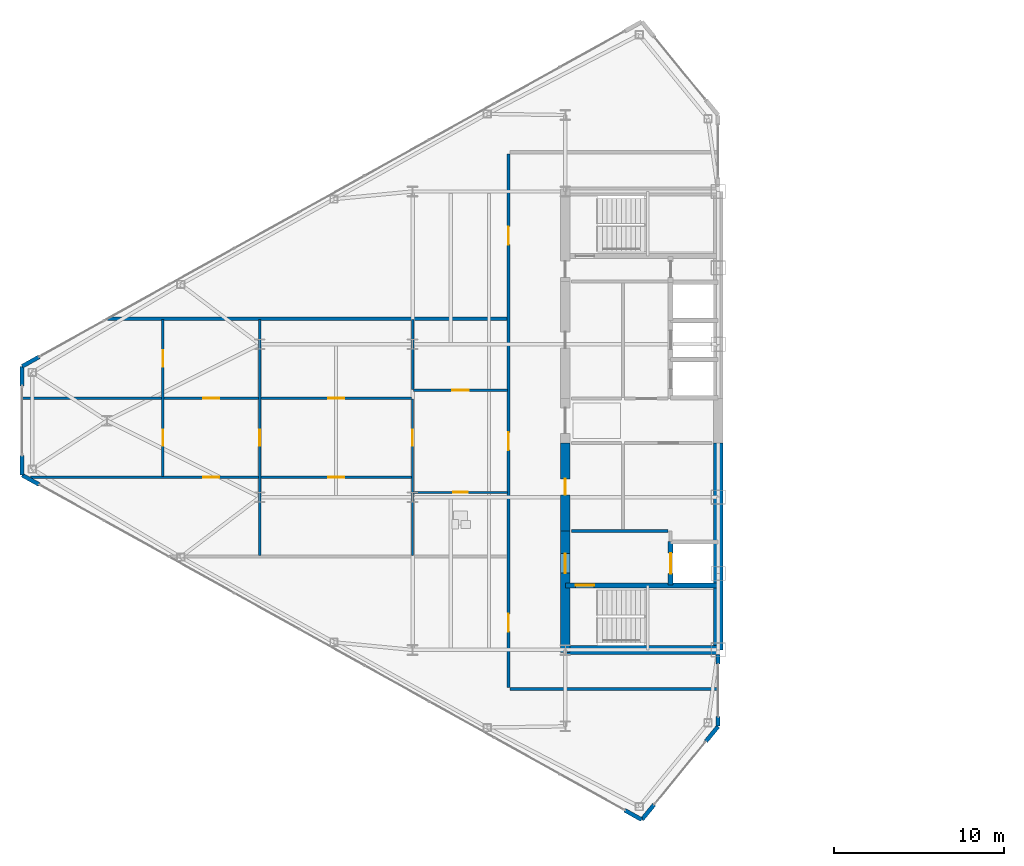
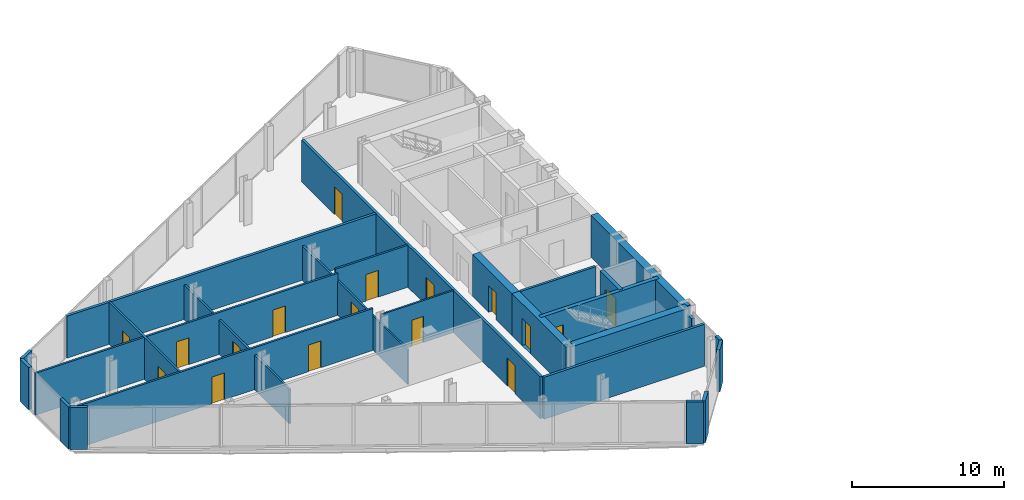
# One storey, part 19 of 26: 27 walls, 17 doors, 17 openings.
"""IFC4 building model written with IfcOpenShell, lengths in metres."""

import ifcopenshell
import ifcopenshell.guid

model = None  # the IFC model being written
_history = None  # IfcOwnerHistory: only IFC2X3 demands one
_inside = {}  # id of a spatial element -> (the spatial element, [elements in it])
_under = {}  # id of a project, library or spatial element -> (it, [spatial elements below it])
_declared = {}  # id of a project -> (the project, [libraries it declares])
_typed = {}  # id of a type object -> (the type object, [elements of that type])
_made_of = {}  # id of a material, layer set ... -> (it, [elements and type objects made of it])


def new_model(schema):
    """Start an empty IFC model of exactly this schema.

    Asked for "IFC4X3", IfcOpenShell would pick the latest addendum, in which some entities
    have other attributes; the version numbers below select the first issue.
    IFC2X3 requires an IfcOwnerHistory on every rooted entity: one is made here for all.
    """
    global model, _history
    if schema == "IFC4X3":
        model = ifcopenshell.file(schema_version=(4, 3, 0, 0))
    else:
        model = ifcopenshell.file(schema=schema)
    _inside.clear()
    _under.clear()
    _declared.clear()
    _typed.clear()
    _made_of.clear()
    _history = None
    if model.schema == "IFC2X3":
        org = make("IfcOrganization", Name="unknown")
        user = make(
            "IfcPersonAndOrganization",
            ThePerson=make("IfcPerson", FamilyName="unknown"),
            TheOrganization=org,
        )
        app = make(
            "IfcApplication",
            ApplicationDeveloper=org,
            Version="unknown",
            ApplicationFullName="unknown",
            ApplicationIdentifier="unknown",
        )
        _history = make(
            "IfcOwnerHistory",
            OwningUser=user,
            OwningApplication=app,
            ChangeAction="ADDED",
            CreationDate=0,
        )
    return model


def make(cls, **values):
    """One entity of the class cls with the attributes given. An attribute that is None is left unset."""
    return model.create_entity(
        cls, **{name: value for name, value in values.items() if value is not None}
    )


def rooted(cls, **values):
    """An entity with a GlobalId (a new one), such as an element, a storey or a relation."""
    return make(cls, GlobalId=ifcopenshell.guid.new(), OwnerHistory=_history, **values)


def si_unit(unit_type, name, prefix=None):
    """IfcSIUnit, for example si_unit("LENGTHUNIT", "METRE", prefix="MILLI")."""
    return make("IfcSIUnit", UnitType=unit_type, Prefix=prefix, Name=name)


def assignment(units):
    """IfcUnitAssignment: the units of a project."""
    return None if units is None else make("IfcUnitAssignment", Units=units)


def point(xyz):
    """IfcCartesianPoint."""
    return None if xyz is None else make("IfcCartesianPoint", Coordinates=xyz)


def direction(xyz):
    """IfcDirection."""
    return None if xyz is None else make("IfcDirection", DirectionRatios=xyz)


def frame(location, z_axis=None, x_axis=None):
    """IfcAxis2Placement3D, a coordinate frame: its origin and axes. An axis left out is left unset."""
    return make(
        "IfcAxis2Placement3D",
        Location=point(location),
        Axis=direction(z_axis),
        RefDirection=direction(x_axis),
    )


def frame_2d(location, x_axis=None):
    """IfcAxis2Placement2D, a coordinate frame in the plane: its origin and x axis."""
    return make(
        "IfcAxis2Placement2D", Location=point(location), RefDirection=direction(x_axis)
    )


def origin():
    """The frame at (0, 0, 0) with its axes left unset."""
    return frame((0.0, 0.0, 0.0))


def place(relative_to, where):
    """IfcLocalPlacement: puts the frame where relative to a parent placement (None: the world)."""
    return make(
        "IfcLocalPlacement", PlacementRelTo=relative_to, RelativePlacement=where
    )


def context(
    kind, dimensions, precision=None, world=None, true_north=None, identifier=None
):
    """IfcGeometricRepresentationContext, for example the 3D "Model" context."""
    return make(
        "IfcGeometricRepresentationContext",
        ContextIdentifier=identifier,
        ContextType=kind,
        CoordinateSpaceDimension=dimensions,
        Precision=precision,
        WorldCoordinateSystem=world,
        TrueNorth=true_north,
    )


def subcontext(parent, identifier, kind, view, scale=None):
    """IfcGeometricRepresentationSubContext, for example "Body" below "Model"."""
    return make(
        "IfcGeometricRepresentationSubContext",
        ContextIdentifier=identifier,
        ContextType=kind,
        ParentContext=parent,
        TargetScale=scale,
        TargetView=view,
    )


def project(units=None, contexts=None):
    """IfcProject with its units and contexts."""
    return rooted(
        "IfcProject",
        Name="project",
        RepresentationContexts=contexts,
        UnitsInContext=assignment(units),
    )


def spatial(cls, under=None, at=None, **own):
    """A site, building, storey or space (cls), placed at a placement, below another one or the project."""
    s = rooted(cls, ObjectPlacement=at, **own)
    if under is not None:
        _under.setdefault(under.id(), (under, []))[1].append(s)
    return s


def profile(cls, at=None, kind="AREA", **sizes):
    """A parametric profile (cls). Its sizes go by their IFC names, for example OverallWidth=200.0."""
    return make(cls, ProfileType=kind, Position=at, **sizes)


def rectangle(**sizes):
    """IfcRectangleProfileDef."""
    return profile("IfcRectangleProfileDef", **sizes)


def extrude(swept, where, along, depth):
    """IfcExtrudedAreaSolid: the profile swept, set in the frame where, extruded along a direction by depth."""
    return make(
        "IfcExtrudedAreaSolid",
        SweptArea=swept,
        Position=where,
        ExtrudedDirection=direction(along),
        Depth=depth,
    )


def shape(context_of_items, identifier, shape_type, items):
    """IfcShapeRepresentation: the items that make up one representation, for example the "Body"."""
    return make(
        "IfcShapeRepresentation",
        ContextOfItems=context_of_items,
        RepresentationIdentifier=identifier,
        RepresentationType=shape_type,
        Items=items,
    )


def source(mapping_origin, context_of_items, identifier, shape_type, items):
    """IfcRepresentationMap: a shape defined once, which mapped items show again and again."""
    return make(
        "IfcRepresentationMap",
        MappingOrigin=mapping_origin,
        MappedRepresentation=shape(context_of_items, identifier, shape_type, items),
    )


def transform(
    local_origin,
    x_axis=None,
    y_axis=None,
    z_axis=None,
    scale=None,
    scale2=None,
    scale3=None,
    uniform=True,
):
    """IfcCartesianTransformationOperator3D, or its non-uniform kind. x_axis, y_axis, z_axis: its Axis1, 2, 3."""
    if uniform:
        return make(
            "IfcCartesianTransformationOperator3D",
            Axis1=direction(x_axis),
            Axis2=direction(y_axis),
            LocalOrigin=point(local_origin),
            Scale=scale,
            Axis3=direction(z_axis),
        )
    return make(
        "IfcCartesianTransformationOperator3DnonUniform",
        Axis1=direction(x_axis),
        Axis2=direction(y_axis),
        LocalOrigin=point(local_origin),
        Scale=scale,
        Axis3=direction(z_axis),
        Scale2=scale2,
        Scale3=scale3,
    )


def mapped(mapping_source, mapping_target):
    """IfcMappedItem: shows the shape of a source again, moved by a transform."""
    return make(
        "IfcMappedItem", MappingSource=mapping_source, MappingTarget=mapping_target
    )


def material(Name=None, Category=None):
    """IfcMaterial."""
    return make("IfcMaterial", Name=Name, Category=Category)


def layer(
    of_material, thickness, ventilated=None, Name=None, Category=None, Priority=None
):
    """IfcMaterialLayer: one layer of a wall or slab, of a material (None: an air gap)."""
    return make(
        "IfcMaterialLayer",
        Material=of_material,
        LayerThickness=thickness,
        IsVentilated=ventilated,
        Name=Name,
        Category=Category,
        Priority=Priority,
    )


def layer_set(layers, Name=None):
    """IfcMaterialLayerSet."""
    return make("IfcMaterialLayerSet", MaterialLayers=layers, LayerSetName=Name)


def made_of(thing, what):
    """Note that an element or type object is made of a material, layer set ...; save() writes the relation."""
    if what is not None:
        _made_of.setdefault(what.id(), (what, []))[1].append(thing)
    return thing


def type_object(cls, material=None, **own):
    """A type object (cls), such as IfcWallType, which elements share."""
    return made_of(rooted(cls, **own), material)


def type_shapes(of_type, sources):
    """Give a type object the sources (RepresentationMaps) that its elements show as mapped items."""
    of_type.RepresentationMaps = sources


def element(
    cls,
    number,
    at=None,
    inside=None,
    cuts=None,
    type_object=None,
    material=None,
    context=None,
    identifier="Body",
    shape_type=None,
    held_by="IfcProductDefinitionShape",
    body=None,
    shapes=None,
    **own,
):
    """One element of the class cls, such as IfcWall. Its Tag is "e" and its number.

    at: its placement. inside: the storey or other place that contains it. cuts: it is an
    opening in that element (IfcRelVoidsElement). A single representation is given by context,
    identifier, shape_type and body (its items); several are given by shapes. held_by: the class
    of the entity that holds the representations. save() writes the other relations.
    """
    e = rooted(cls, Tag="e%d" % number, ObjectPlacement=at, **own)
    if body is not None:
        shapes = [shape(context, identifier, shape_type, body)]
    if shapes is not None:
        e.Representation = make(held_by, Representations=shapes)
    if inside is not None:
        _inside.setdefault(inside.id(), (inside, []))[1].append(e)
    if cuts is not None:
        rooted(
            "IfcRelVoidsElement", RelatingBuildingElement=cuts, RelatedOpeningElement=e
        )
    if type_object is not None:
        _typed.setdefault(type_object.id(), (type_object, []))[1].append(e)
    return made_of(e, material)


def fill(opening, filler):
    """IfcRelFillsElement: the door or window that sits in an opening."""
    return rooted(
        "IfcRelFillsElement",
        RelatingOpeningElement=opening,
        RelatedBuildingElement=filler,
    )


def aggregate(whole, parts):
    """IfcRelAggregates: a whole, such as a stair, and the parts it consists of."""
    return rooted("IfcRelAggregates", RelatingObject=whole, RelatedObjects=parts)


def save(model, path):
    """Write the relations noted so far, then the file.

    IfcRelAggregates (storeys below a building ...), IfcRelContainedInSpatialStructure (elements
    in a storey), IfcRelDefinesByType, IfcRelAssociatesMaterial and IfcRelDeclares: one each for
    every whole, place, type object, material and project.
    """
    for whole, parts in _under.values():
        aggregate(whole, parts)
    for where, things in _inside.values():
        rooted(
            "IfcRelContainedInSpatialStructure",
            RelatedElements=things,
            RelatingStructure=where,
        )
    for kind, things in _typed.values():
        rooted("IfcRelDefinesByType", RelatedObjects=things, RelatingType=kind)
    for what, things in _made_of.values():
        rooted("IfcRelAssociatesMaterial", RelatedObjects=things, RelatingMaterial=what)
    for by, libraries in _declared.values():
        rooted("IfcRelDeclares", RelatingContext=by, RelatedDefinitions=libraries)
    model.write(path)


model = new_model("IFC4")

# Units and contexts
model_context = context("Model", 3, precision=1e-05, world=origin(), true_north=direction((0.0, 1.0)))
body_context = subcontext(model_context, "Body", "Model", "MODEL_VIEW")
ifc_project = project(units=[si_unit("LENGTHUNIT", "METRE"), si_unit("AREAUNIT", "SQUARE_METRE"), si_unit("VOLUMEUNIT", "CUBIC_METRE"), si_unit("PLANEANGLEUNIT", "RADIAN"), si_unit("MASSUNIT", "GRAM", prefix="KILO")], contexts=[model_context])

# Site, building, storey
site_placement = place(None, origin())
site = spatial("IfcSite", under=ifc_project, at=site_placement, CompositionType="ELEMENT")
building_placement = place(site_placement, origin())
building = spatial("IfcBuilding", under=site, at=building_placement, Name="Seokmaru Belvedere", CompositionType="ELEMENT")
storey_placement = place(building_placement, frame((0.0, 0.0, 170.699951171875)))
storey = spatial("IfcBuildingStorey", under=building, at=storey_placement, Name="L45", CompositionType="ELEMENT", Elevation=170.699951171875)

# Wall, openings, doors
ifc_material_1 = material(Name="Fire-Rated Gypsum Shaftwall")
ifc_layer_1 = layer(ifc_material_1, 0.14990234375)
ifc_layer_set_1 = layer_set([ifc_layer_1], Name="Fire-Rated Gypsum Shaftwall")
wall_type_1 = type_object("IfcWallType", Name="Apartment Fire-Acoustic Room Partition 150", PredefinedType="PARTITIONING", material=ifc_layer_set_1)
wall_1_placement = place(storey_placement, frame((-68.00927734375, -3.330078125, 0.0), z_axis=(0.0, 0.0, 1.0), x_axis=(1.0, 0.0, 0.0)))
wall_1 = element("IfcWall", 1, at=wall_1_placement, inside=storey, type_object=wall_type_1, Name="L45 Interior Partition 010", PredefinedType="PARTITIONING", context=body_context, shape_type="SweptSolid", body=[
    extrude(rectangle(XDim=22.459228515625, YDim=0.14990234375, at=frame_2d((11.2294921875, 0.0))), origin(), (0.0, 0.0, 1.0), 3.380126953125),
])
opening_1_placement = place(wall_1_placement, frame((17.5341796875, 0.0, 0.0)))
opening_1 = element("IfcOpeningElement", 2, at=opening_1_placement, cuts=wall_1, Name="Opening D05", PredefinedType="OPENING", context=body_context, shape_type="SweptSolid", body=[
    extrude(rectangle(XDim=0.949951171875, YDim=2.14990234375, at=frame_2d((0.47509765625, 1.074951171875))), frame((0.0, 0.0849609375, 0.0), z_axis=(0.0, -1.0, 0.0), x_axis=(1.0, 0.0, 0.0)), (0.0, 0.0, 1.0), 0.169921875),
])
opening_2_placement = place(wall_1_placement, frame((10.18408203125, 0.0, 0.0)))
opening_2 = element("IfcOpeningElement", 3, at=opening_2_placement, cuts=wall_1, Name="Opening D05", PredefinedType="OPENING", context=body_context, shape_type="SweptSolid", body=[
    extrude(rectangle(XDim=0.949951171875, YDim=2.14990234375, at=frame_2d((0.47509765625, 1.074951171875))), frame((0.0, 0.0849609375, 0.0), z_axis=(0.0, -1.0, 0.0), x_axis=(1.0, 0.0, 0.0)), (0.0, 0.0, 1.0), 0.169921875),
])
ifc_material_2 = material(Name="Engineered White Oak Timber", Category="wood")
door_type_1 = type_object("IfcDoorType", Name="Apartment Interior Fire-Rated Oak Door 950x2150", OperationType="NOTDEFINED", PredefinedType="DOOR", material=ifc_material_2)
shared_shape_1 = source(origin(), body_context, "Body", "SweptSolid", [
    extrude(rectangle(XDim=0.949951171875, YDim=2.14990234375, at=frame_2d((0.47509765625, 1.074951171875))), frame((0.0, 0.02490234375, 0.0), z_axis=(0.0, -1.0, 0.0), x_axis=(1.0, 0.0, 0.0)), (0.0, 0.0, 1.0), 0.050048828125),
])
type_shapes(door_type_1, [shared_shape_1])
door_1_placement = place(opening_1_placement, origin())
door_1 = element("IfcDoor", 4, at=door_1_placement, inside=storey, type_object=door_type_1, Name="L45 Interior Door 007", OperationType="SINGLE_SWING_LEFT", OverallHeight=2.14990234375, OverallWidth=0.949951171875, PredefinedType="DOOR", context=body_context, shape_type="MappedRepresentation", body=[
    mapped(shared_shape_1, transform((0.0, 0.0, 0.0), scale=1.0)),
])
fill(opening_1, door_1)
door_2_placement = place(opening_2_placement, origin())
door_2 = element("IfcDoor", 5, at=door_2_placement, inside=storey, type_object=door_type_1, Name="L45 Interior Door 009", OperationType="SINGLE_SWING_LEFT", OverallHeight=2.14990234375, OverallWidth=0.949951171875, PredefinedType="DOOR", context=body_context, shape_type="MappedRepresentation", body=[
    mapped(shared_shape_1, transform((0.0, 0.0, 0.0), scale=1.0)),
])
fill(opening_2, door_2)

wall_2_placement = place(storey_placement, frame((-68.534912109375, 1.330078125, 0.0), z_axis=(0.0, 0.0, 1.0), x_axis=(1.0, 0.0, 0.0)))
wall_2 = element("IfcWall", 6, at=wall_2_placement, inside=storey, type_object=wall_type_1, Name="L45 Interior Partition 013", PredefinedType="PARTITIONING", context=body_context, shape_type="SweptSolid", body=[
    extrude(rectangle(XDim=22.98486328125, YDim=0.14990234375, at=frame_2d((11.492431640625, 0.0))), origin(), (0.0, 0.0, 1.0), 3.380126953125),
])
opening_3_placement = place(wall_2_placement, frame((18.06005859375, 0.0, 0.0)))
opening_3 = element("IfcOpeningElement", 7, at=opening_3_placement, cuts=wall_2, Name="Opening D05", PredefinedType="OPENING", context=body_context, shape_type="SweptSolid", body=[
    extrude(rectangle(XDim=0.949951171875, YDim=2.14990234375, at=frame_2d((0.47509765625, 1.074951171875))), frame((0.0, 0.0849609375, 0.0), z_axis=(0.0, -1.0, 0.0), x_axis=(1.0, 0.0, 0.0)), (0.0, 0.0, 1.0), 0.169921875),
])
opening_4_placement = place(wall_2_placement, frame((10.7099609375, 0.0, 0.0)))
opening_4 = element("IfcOpeningElement", 8, at=opening_4_placement, cuts=wall_2, Name="Opening D05", PredefinedType="OPENING", context=body_context, shape_type="SweptSolid", body=[
    extrude(rectangle(XDim=0.949951171875, YDim=2.14990234375, at=frame_2d((0.47509765625, 1.074951171875))), frame((0.0, 0.0849609375, 0.0), z_axis=(0.0, -1.0, 0.0), x_axis=(1.0, 0.0, 0.0)), (0.0, 0.0, 1.0), 0.169921875),
])
door_3_placement = place(opening_3_placement, origin())
door_3 = element("IfcDoor", 9, at=door_3_placement, inside=storey, type_object=door_type_1, Name="L45 Interior Door 008", OperationType="SINGLE_SWING_RIGHT", OverallHeight=2.14990234375, OverallWidth=0.949951171875, PredefinedType="DOOR", context=body_context, shape_type="MappedRepresentation", body=[
    mapped(shared_shape_1, transform((0.0, 0.0, 0.0), scale=1.0)),
])
fill(opening_3, door_3)
door_4_placement = place(opening_4_placement, origin())
door_4 = element("IfcDoor", 10, at=door_4_placement, inside=storey, type_object=door_type_1, Name="L45 Interior Door 011", OperationType="SINGLE_SWING_LEFT", OverallHeight=2.14990234375, OverallWidth=0.949951171875, PredefinedType="DOOR", context=body_context, shape_type="MappedRepresentation", body=[
    mapped(shared_shape_1, transform((0.0, 0.0, 0.0), scale=1.0)),
])
fill(opening_4, door_4)

# Wall, opening, door
wall_3_placement = place(storey_placement, frame((-45.449951171875, 1.800048828125, 0.0), z_axis=(0.0, 0.0, 1.0), x_axis=(1.0, 0.0, 0.0)))
wall_3 = element("IfcWall", 11, at=wall_3_placement, inside=storey, type_object=wall_type_1, Name="L45 Interior Partition 014", PredefinedType="PARTITIONING", context=body_context, shape_type="SweptSolid", body=[
    extrude(rectangle(XDim=5.550048828125, YDim=0.14990234375, at=frame_2d((2.77490234375, 0.0))), origin(), (0.0, 0.0, 1.0), 3.380126953125),
])
opening_5_placement = place(wall_3_placement, frame((2.300048828125, 0.0, 0.0)))
opening_5 = element("IfcOpeningElement", 12, at=opening_5_placement, cuts=wall_3, Name="Opening D05", PredefinedType="OPENING", context=body_context, shape_type="SweptSolid", body=[
    extrude(rectangle(XDim=0.949951171875, YDim=2.14990234375, at=frame_2d((0.47509765625, 1.074951171875))), frame((0.0, 0.0849609375, 0.0), z_axis=(0.0, -1.0, 0.0), x_axis=(1.0, 0.0, 0.0)), (0.0, 0.0, 1.0), 0.169921875),
])
door_5_placement = place(opening_5_placement, origin())
door_5 = element("IfcDoor", 13, at=door_5_placement, inside=storey, type_object=door_type_1, Name="L45 Interior Door 004", OperationType="SINGLE_SWING_LEFT", OverallHeight=2.14990234375, OverallWidth=0.949951171875, PredefinedType="DOOR", context=body_context, shape_type="MappedRepresentation", body=[
    mapped(shared_shape_1, transform((0.0, 0.0, 0.0), scale=1.0)),
])
fill(opening_5, door_5)

# Wall, openings, doors
wall_4_placement = place(storey_placement, frame((-60.199951171875, -3.282958984375, 0.0), z_axis=(0.0, 0.0, 1.0), x_axis=(0.0, 1.0, 0.0)))
wall_4 = element("IfcWall", 14, at=wall_4_placement, inside=storey, type_object=wall_type_1, Name="L45 Interior Partition 021", PredefinedType="PARTITIONING", context=body_context, shape_type="SweptSolid", body=[
    extrude(rectangle(XDim=9.23291015625, YDim=0.14990234375, at=frame_2d((4.616455078125, 0.0))), origin(), (0.0, 0.0, 1.0), 3.380126953125),
])
opening_6_placement = place(wall_4_placement, frame((1.80810546875, 0.0, 0.0)))
opening_6 = element("IfcOpeningElement", 15, at=opening_6_placement, cuts=wall_4, Name="Opening D05", PredefinedType="OPENING", context=body_context, shape_type="SweptSolid", body=[
    extrude(rectangle(XDim=0.949951171875, YDim=2.14990234375, at=frame_2d((0.47509765625, 1.074951171875))), frame((0.0, 0.0849609375, 0.0), z_axis=(0.0, -1.0, 0.0), x_axis=(1.0, 0.0, 0.0)), (0.0, 0.0, 1.0), 0.169921875),
])
opening_7_placement = place(wall_4_placement, frame((6.474609375, 0.0, 0.0)))
opening_7 = element("IfcOpeningElement", 16, at=opening_7_placement, cuts=wall_4, Name="Opening D05", PredefinedType="OPENING", context=body_context, shape_type="SweptSolid", body=[
    extrude(rectangle(XDim=0.949951171875, YDim=2.14990234375, at=frame_2d((0.47509765625, 1.074951171875))), frame((0.0, 0.0849609375, 0.0), z_axis=(0.0, -1.0, 0.0), x_axis=(1.0, 0.0, 0.0)), (0.0, 0.0, 1.0), 0.169921875),
])
door_6_placement = place(opening_6_placement, origin())
door_6 = element("IfcDoor", 17, at=door_6_placement, inside=storey, type_object=door_type_1, Name="L45 Interior Door 010", OperationType="SINGLE_SWING_RIGHT", OverallHeight=2.14990234375, OverallWidth=0.949951171875, PredefinedType="DOOR", context=body_context, shape_type="MappedRepresentation", body=[
    mapped(shared_shape_1, transform((0.0, 0.0, 0.0), scale=1.0)),
])
fill(opening_6, door_6)
door_7_placement = place(opening_7_placement, origin())
door_7 = element("IfcDoor", 18, at=door_7_placement, inside=storey, type_object=door_type_1, Name="L45 Interior Door 012", OperationType="SINGLE_SWING_RIGHT", OverallHeight=2.14990234375, OverallWidth=0.949951171875, PredefinedType="DOOR", context=body_context, shape_type="MappedRepresentation", body=[
    mapped(shared_shape_1, transform((0.0, 0.0, 0.0), scale=1.0)),
])
fill(opening_7, door_7)

# Wall, opening, door
wall_5_placement = place(storey_placement, frame((-54.5, -7.949951171875, 0.0), z_axis=(0.0, 0.0, 1.0), x_axis=(0.0, 1.0, 0.0)))
wall_5 = element("IfcWall", 19, at=wall_5_placement, inside=storey, type_object=wall_type_1, Name="L45 Interior Partition 022", PredefinedType="PARTITIONING", context=body_context, shape_type="SweptSolid", body=[
    extrude(rectangle(XDim=13.89990234375, YDim=0.14990234375, at=frame_2d((6.949951171875, 0.0))), origin(), (0.0, 0.0, 1.0), 2.780029296875),
])
opening_8_placement = place(wall_5_placement, frame((6.47509765625, 0.0, 0.0)))
opening_8 = element("IfcOpeningElement", 20, at=opening_8_placement, cuts=wall_5, Name="Opening D05", PredefinedType="OPENING", context=body_context, shape_type="SweptSolid", body=[
    extrude(rectangle(XDim=0.949951171875, YDim=2.14990234375, at=frame_2d((0.47509765625, 1.074951171875))), frame((0.0, 0.0849609375, 0.0), z_axis=(0.0, -1.0, 0.0), x_axis=(1.0, 0.0, 0.0)), (0.0, 0.0, 1.0), 0.169921875),
])
door_8_placement = place(opening_8_placement, origin())
door_8 = element("IfcDoor", 21, at=door_8_placement, inside=storey, type_object=door_type_1, Name="L45 Interior Door 006", OperationType="SINGLE_SWING_RIGHT", OverallHeight=2.14990234375, OverallWidth=0.949951171875, PredefinedType="DOOR", context=body_context, shape_type="MappedRepresentation", body=[
    mapped(shared_shape_1, transform((0.0, 0.0, 0.0), scale=1.0)),
])
fill(opening_8, door_8)

# Walls
wall_6_placement = place(storey_placement, frame((-45.5, 1.85205078125, 0.0), z_axis=(0.0, 0.0, 1.0), x_axis=(0.0, 1.0, 0.0)))
element("IfcWall", 22, at=wall_6_placement, inside=storey, type_object=wall_type_1, Name="L45 Interior Partition 024", PredefinedType="PARTITIONING", context=body_context, shape_type="SweptSolid", body=[
    extrude(rectangle(XDim=4.097900390625, YDim=0.14990234375, at=frame_2d((2.048828125, 0.0))), origin(), (0.0, 0.0, 1.0), 2.780029296875),
])
ifc_layer_2 = layer(ifc_material_1, 0.179931640625)
ifc_layer_set_2 = layer_set([ifc_layer_2], Name="Fire-Rated Gypsum Shaftwall")
wall_type_2 = type_object("IfcWallType", Name="Core Service Fire Partition 180", PredefinedType="PARTITIONING", material=ifc_layer_set_2)
wall_7_placement = place(storey_placement, frame((-36.14990234375, -6.5, 0.0), z_axis=(0.0, 0.0, 1.0), x_axis=(1.0, 0.0, 0.0)))
element("IfcWall", 23, at=wall_7_placement, inside=storey, type_object=wall_type_2, Name="L45 West Firefighting Lobby Partition", PredefinedType="PARTITIONING", context=body_context, shape_type="SweptSolid", body=[
    extrude(rectangle(XDim=5.699951171875, YDim=0.179931640625, at=frame_2d((2.85009765625, 0.0))), origin(), (0.0, 0.0, 1.0), 3.380126953125),
])
ifc_layer_3 = layer(ifc_material_1, 0.199951171875)
ifc_layer_set_3 = layer_set([ifc_layer_3], Name="Fire-Rated Gypsum Shaftwall")
wall_type_3 = type_object("IfcWallType", Name="Inter-Tenancy Fire Compartment Partition 200", PredefinedType="PARTITIONING", material=ifc_layer_set_3)
wall_8_placement = place(storey_placement, frame((-39.764892578125, -15.800048828125, 0.0), z_axis=(0.0, 0.0, 1.0), x_axis=(1.0, 0.0, 0.0)))
element("IfcWall", 24, at=wall_8_placement, inside=storey, type_object=wall_type_3, Name="L45 Interior Partition 001", PredefinedType="PARTITIONING", context=body_context, shape_type="SweptSolid", body=[
    extrude(rectangle(XDim=12.264892578125, YDim=0.199951171875, at=frame_2d((6.13232421875, 0.0))), origin(), (0.0, 0.0, 1.0), 3.380126953125),
])
wall_9_placement = place(storey_placement, frame((-63.47607421875, 6.0, 0.0), z_axis=(0.0, 0.0, 1.0), x_axis=(1.0, 0.0, 0.0)))
element("IfcWall", 25, at=wall_9_placement, inside=storey, type_object=wall_type_3, Name="L45 Interior Partition 017", PredefinedType="PARTITIONING", context=body_context, shape_type="SweptSolid", body=[
    extrude(rectangle(XDim=23.546142578125, YDim=0.199951171875, at=frame_2d((11.77294921875, 0.0))), origin(), (0.0, 0.0, 1.0), 3.380126953125),
])

# Wall, openings, doors
wall_10_placement = place(storey_placement, frame((-39.85009765625, -15.715087890625, 0.0), z_axis=(0.0, 0.0, 1.0), x_axis=(0.0, 1.0, 0.0)))
wall_10 = element("IfcWall", 26, at=wall_10_placement, inside=storey, type_object=wall_type_3, Name="L45 Interior Partition 025", PredefinedType="PARTITIONING", context=body_context, shape_type="SweptSolid", body=[
    extrude(rectangle(XDim=31.43017578125, YDim=0.199951171875, at=frame_2d((15.715087890625, 0.0))), origin(), (0.0, 0.0, 1.0), 3.380126953125),
])
opening_9_placement = place(wall_10_placement, frame((3.2900390625, 0.0, 0.0)))
opening_9 = element("IfcOpeningElement", 27, at=opening_9_placement, cuts=wall_10, Name="Opening D03", PredefinedType="OPENING", context=body_context, shape_type="SweptSolid", body=[
    extrude(rectangle(XDim=1.050048828125, YDim=2.25, at=frame_2d((0.52490234375, 1.125))), frame((0.0, 0.10986328125, 0.0), z_axis=(0.0, -1.0, 0.0), x_axis=(1.0, 0.0, 0.0)), (0.0, 0.0, 1.0), 0.219970703125),
])
opening_10_placement = place(wall_10_placement, frame((13.97998046875, 0.0, 0.0)))
opening_10 = element("IfcOpeningElement", 28, at=opening_10_placement, cuts=wall_10, Name="Opening D03", PredefinedType="OPENING", context=body_context, shape_type="SweptSolid", body=[
    extrude(rectangle(XDim=1.050048828125, YDim=2.25, at=frame_2d((0.52490234375, 1.125))), frame((0.0, 0.10986328125, 0.0), z_axis=(0.0, -1.0, 0.0), x_axis=(1.0, 0.0, 0.0)), (0.0, 0.0, 1.0), 0.219970703125),
])
opening_11_placement = place(wall_10_placement, frame((26.090087890625, 0.0, 0.0)))
opening_11 = element("IfcOpeningElement", 29, at=opening_11_placement, cuts=wall_10, Name="Opening D03", PredefinedType="OPENING", context=body_context, shape_type="SweptSolid", body=[
    extrude(rectangle(XDim=1.050048828125, YDim=2.25, at=frame_2d((0.52490234375, 1.125))), frame((0.0, 0.10986328125, 0.0), z_axis=(0.0, -1.0, 0.0), x_axis=(1.0, 0.0, 0.0)), (0.0, 0.0, 1.0), 0.219970703125),
])
ifc_material_3 = material(Name="Fire-Rated Steel Leaf", Category="steel")
door_type_2 = type_object("IfcDoorType", Name="Apartment Entrance Fire Door 1050x2250", OperationType="NOTDEFINED", PredefinedType="DOOR", material=ifc_material_3)
shared_shape_2 = source(origin(), body_context, "Body", "SweptSolid", [
    extrude(rectangle(XDim=1.050048828125, YDim=2.25, at=frame_2d((0.52490234375, 1.125))), frame((0.0, 0.02490234375, 0.0), z_axis=(0.0, -1.0, 0.0), x_axis=(1.0, 0.0, 0.0)), (0.0, 0.0, 1.0), 0.050048828125),
])
type_shapes(door_type_2, [shared_shape_2])
door_9_placement = place(opening_9_placement, origin())
door_9 = element("IfcDoor", 30, at=door_9_placement, inside=storey, type_object=door_type_2, Name="L45 Interior Door 001", OperationType="SINGLE_SWING_RIGHT", OverallHeight=2.25, OverallWidth=1.050048828125, PredefinedType="DOOR", context=body_context, shape_type="MappedRepresentation", body=[
    mapped(shared_shape_2, transform((0.0, 0.0, 0.0), scale=1.0)),
])
fill(opening_9, door_9)
door_10_placement = place(opening_10_placement, origin())
door_10 = element("IfcDoor", 31, at=door_10_placement, inside=storey, type_object=door_type_2, Name="L45 Interior Door 002", OperationType="SINGLE_SWING_LEFT", OverallHeight=2.25, OverallWidth=1.050048828125, PredefinedType="DOOR", context=body_context, shape_type="MappedRepresentation", body=[
    mapped(shared_shape_2, transform((0.0, 0.0, 0.0), scale=1.0)),
])
fill(opening_10, door_10)
door_11_placement = place(opening_11_placement, origin())
door_11 = element("IfcDoor", 32, at=door_11_placement, inside=storey, type_object=door_type_2, Name="L45 Interior Door 013", OperationType="SINGLE_SWING_RIGHT", OverallHeight=2.25, OverallWidth=1.050048828125, PredefinedType="DOOR", context=body_context, shape_type="MappedRepresentation", body=[
    mapped(shared_shape_2, transform((0.0, 0.0, 0.0), scale=1.0)),
])
fill(opening_11, door_11)

# Wall, opening, door
ifc_material_4 = material(Name="Concrete C50 (50 MPa)", Category="concrete")
ifc_layer_4 = layer(ifc_material_4, 0.300048828125)
ifc_layer_set_4 = layer_set([ifc_layer_4], Name="Concrete C50 (50 MPa)")
wall_type_4 = type_object("IfcWallType", Name="Internal Core Stair and Hoistway Wall 300", PredefinedType="SHEAR", material=ifc_layer_set_4)
wall_11_placement = place(storey_placement, frame((-36.5, -9.699951171875, 0.0), z_axis=(0.0, 0.0, 1.0), x_axis=(1.0, 0.0, 0.0)))
wall_11 = element("IfcWall", 33, at=wall_11_placement, inside=storey, type_object=wall_type_4, Name="L45 West Stair ST-1 Enclosure Wall", PredefinedType="SHEAR", context=body_context, shape_type="SweptSolid", body=[
    extrude(rectangle(XDim=9.0, YDim=0.300048828125, at=frame_2d((4.5, 0.0))), origin(), (0.0, 0.0, 1.0), 3.380126953125),
])
opening_12_placement = place(wall_11_placement, frame((0.60009765625, 0.0, 0.0)))
opening_12 = element("IfcOpeningElement", 34, at=opening_12_placement, cuts=wall_11, Name="Opening D01", PredefinedType="OPENING", context=body_context, shape_type="SweptSolid", body=[
    extrude(rectangle(XDim=1.10009765625, YDim=2.199951171875, at=frame_2d((0.550048828125, 1.10009765625))), frame((0.0, 0.16015625, 0.0), z_axis=(0.0, -1.0, 0.0), x_axis=(1.0, 0.0, 0.0)), (0.0, 0.0, 1.0), 0.320068359375),
])
door_type_3 = type_object("IfcDoorType", Name="Special Escape Stair Smokeproof Fire Door 1100x2200", OperationType="NOTDEFINED", PredefinedType="DOOR", material=ifc_material_3)
shared_shape_3 = source(origin(), body_context, "Body", "SweptSolid", [
    extrude(rectangle(XDim=1.10009765625, YDim=2.199951171875, at=frame_2d((0.550048828125, 1.10009765625))), frame((0.0, 0.02490234375, 0.0), z_axis=(0.0, -1.0, 0.0), x_axis=(1.0, 0.0, 0.0)), (0.0, 0.0, 1.0), 0.050048828125),
])
type_shapes(door_type_3, [shared_shape_3])
door_12_placement = place(opening_12_placement, frame((1.10009765625, 0.0, 0.0), z_axis=(0.0, 0.0, 1.0), x_axis=(-1.0, 0.0, 0.0)))
door_12 = element("IfcDoor", 35, at=door_12_placement, inside=storey, type_object=door_type_3, Name="L45 West Special Escape Stair ST-1 Door", OperationType="SINGLE_SWING_LEFT", OverallHeight=2.199951171875, OverallWidth=1.10009765625, PredefinedType="DOOR", context=body_context, shape_type="MappedRepresentation", body=[
    mapped(shared_shape_3, transform((0.0, 0.0, 0.0), scale=1.0)),
])
fill(opening_12, door_12)

wall_12_placement = place(storey_placement, frame((-30.300048828125, -9.679931640625, 0.0), z_axis=(0.0, 0.0, 1.0), x_axis=(0.0, 1.0, 0.0)))
wall_12 = element("IfcWall", 36, at=wall_12_placement, inside=storey, type_object=wall_type_4, Name="L45 West Firefighting Lift Shaft Front Wall", PredefinedType="SHEAR", context=body_context, shape_type="SweptSolid", body=[
    extrude(rectangle(XDim=2.559814453125, YDim=0.300048828125, at=frame_2d((1.27978515625, 0.0))), origin(), (0.0, 0.0, 1.0), 3.380126953125),
])
opening_13_placement = place(wall_12_placement, frame((0.679931640625, 0.0, 0.0)))
opening_13 = element("IfcOpeningElement", 37, at=opening_13_placement, cuts=wall_12, Name="Opening LD2", PredefinedType="OPENING", context=body_context, shape_type="SweptSolid", body=[
    extrude(rectangle(XDim=1.199951171875, YDim=2.25, at=frame_2d((0.60009765625, 1.125))), frame((0.0, 0.16015625, 0.0), z_axis=(0.0, -1.0, 0.0), x_axis=(1.0, 0.0, 0.0)), (0.0, 0.0, 1.0), 0.320068359375),
])
ifc_material_5 = material(Name="Stainless Steel 316", Category="steel")
door_type_4 = type_object("IfcDoorType", Name="Firefighting Lift Sliding Landing Door 1200x2250", OperationType="DOUBLE_DOOR_SLIDING", PredefinedType="DOOR", material=ifc_material_5)
shared_shape_4 = source(origin(), body_context, "Body", "SweptSolid", [
    extrude(rectangle(XDim=1.199951171875, YDim=2.25, at=frame_2d((0.60009765625, 1.125))), frame((0.0, 0.02490234375, 0.0), z_axis=(0.0, -1.0, 0.0), x_axis=(1.0, 0.0, 0.0)), (0.0, 0.0, 1.0), 0.050048828125),
])
type_shapes(door_type_4, [shared_shape_4])
door_13_placement = place(opening_13_placement, origin())
door_13 = element("IfcDoor", 38, at=door_13_placement, inside=storey, type_object=door_type_4, Name="L45 West Firefighting Lift Landing Door", OperationType="DOUBLE_DOOR_SLIDING", OverallHeight=2.25, OverallWidth=1.199951171875, PredefinedType="DOOR", context=body_context, shape_type="MappedRepresentation", body=[
    mapped(shared_shape_4, transform((0.0, 0.0, 0.0), scale=1.0)),
])
fill(opening_13, door_13)

# Walls
ifc_layer_5 = layer(ifc_material_4, 0.550048828125)
ifc_layer_set_5 = layer_set([ifc_layer_5], Name="Concrete C50 (50 MPa)")
wall_type_5 = type_object("IfcWallType", Name="Mid-High Reinforced Concrete Core Wall 550", PredefinedType="SHEAR", material=ifc_layer_set_5)
wall_13_placement = place(storey_placement, frame((-27.5, -13.5, 0.0), z_axis=(0.0, 0.0, 1.0), x_axis=(0.0, 1.0, 0.0)))
element("IfcWall", 39, at=wall_13_placement, inside=storey, type_object=wall_type_5, Name="L45 West Portal Spine Core Wall South", PredefinedType="SHEAR", context=body_context, shape_type="SweptSolid", body=[
    extrude(rectangle(XDim=12.199951171875, YDim=0.550048828125, at=frame_2d((6.10009765625, 0.0))), origin(), (0.0, 0.0, 1.0), 3.380126953125),
])
wall_14_placement = place(storey_placement, frame((-36.5, -13.5, 0.0), z_axis=(0.0, 0.0, 1.0), x_axis=(1.0, 0.0, 0.0)))
element("IfcWall", 40, at=wall_14_placement, inside=storey, type_object=wall_type_5, Name="L45 West South Core Wall", PredefinedType="SHEAR", context=body_context, shape_type="SweptSolid", body=[
    extrude(rectangle(XDim=9.0, YDim=0.550048828125, at=frame_2d((4.5, 0.0))), origin(), (0.0, 0.0, 1.0), 3.380126953125),
])

# Wall, opening, door
wall_15_placement = place(storey_placement, frame((-36.5, -13.64990234375, 0.0), z_axis=(0.0, 0.0, 1.0), x_axis=(0.0, 1.0, 0.0)))
wall_15 = element("IfcWall", 41, at=wall_15_placement, inside=storey, type_object=wall_type_5, Name="L45 West West Core Wall FF", PredefinedType="SHEAR", context=body_context, shape_type="SweptSolid", body=[
    extrude(rectangle(XDim=7.14990234375, YDim=0.550048828125, at=frame_2d((3.574951171875, 0.0))), origin(), (0.0, 0.0, 1.0), 3.380126953125),
])
opening_14_placement = place(wall_15_placement, frame((4.675048828125, 0.0, 0.0)))
opening_14 = element("IfcOpeningElement", 42, at=opening_14_placement, cuts=wall_15, Name="Opening D02", PredefinedType="OPENING", context=body_context, shape_type="SweptSolid", body=[
    extrude(rectangle(XDim=1.14990234375, YDim=2.199951171875, at=frame_2d((0.574951171875, 1.10009765625))), frame((0.0, 0.28515625, 0.0), z_axis=(0.0, -1.0, 0.0), x_axis=(1.0, 0.0, 0.0)), (0.0, 0.0, 1.0), 0.570068359375),
])
door_type_5 = type_object("IfcDoorType", Name="Lobby and Vestibule Fire Door 1150x2200", OperationType="NOTDEFINED", PredefinedType="DOOR", material=ifc_material_3)
shared_shape_5 = source(origin(), body_context, "Body", "SweptSolid", [
    extrude(rectangle(XDim=1.14990234375, YDim=2.199951171875, at=frame_2d((0.574951171875, 1.10009765625))), frame((0.0, 0.02490234375, 0.0), z_axis=(0.0, -1.0, 0.0), x_axis=(1.0, 0.0, 0.0)), (0.0, 0.0, 1.0), 0.050048828125),
])
type_shapes(door_type_5, [shared_shape_5])
door_14_placement = place(opening_14_placement, frame((1.14990234375, 0.0, 0.0), z_axis=(0.0, 0.0, 1.0), x_axis=(-1.0, 0.0, 0.0)))
door_14 = element("IfcDoor", 43, at=door_14_placement, inside=storey, type_object=door_type_5, Name="L45 West Firefighting Lobby Door", OperationType="SINGLE_SWING_LEFT", OverallHeight=2.199951171875, OverallWidth=1.14990234375, PredefinedType="DOOR", context=body_context, shape_type="MappedRepresentation", body=[
    mapped(shared_shape_5, transform((0.0, 0.0, 0.0), scale=1.0)),
])
fill(opening_14, door_14)

wall_16_placement = place(storey_placement, frame((-36.5, -6.5, 0.0), z_axis=(0.0, 0.0, 1.0), x_axis=(0.0, 1.0, 0.0)))
wall_16 = element("IfcWall", 44, at=wall_16_placement, inside=storey, type_object=wall_type_5, Name="L45 West West Core Wall CS1", PredefinedType="SHEAR", context=body_context, shape_type="SweptSolid", body=[
    extrude(rectangle(XDim=5.199951171875, YDim=0.550048828125, at=frame_2d((2.60009765625, 0.0))), origin(), (0.0, 0.0, 1.0), 3.380126953125),
])
opening_15_placement = place(wall_16_placement, frame((2.125, 0.0, 0.0)))
opening_15 = element("IfcOpeningElement", 45, at=opening_15_placement, cuts=wall_16, Name="Opening D04", PredefinedType="OPENING", context=body_context, shape_type="SweptSolid", body=[
    extrude(rectangle(XDim=0.949951171875, YDim=2.14990234375, at=frame_2d((0.47509765625, 1.074951171875))), frame((0.0, 0.28515625, 0.0), z_axis=(0.0, -1.0, 0.0), x_axis=(1.0, 0.0, 0.0)), (0.0, 0.0, 1.0), 0.570068359375),
])
door_type_6 = type_object("IfcDoorType", Name="Core Service Room Fire Door 950x2150", OperationType="NOTDEFINED", PredefinedType="DOOR", material=ifc_material_3)
shared_shape_6 = source(origin(), body_context, "Body", "SweptSolid", [
    extrude(rectangle(XDim=0.949951171875, YDim=2.14990234375, at=frame_2d((0.47509765625, 1.074951171875))), frame((0.0, 0.02490234375, 0.0), z_axis=(0.0, -1.0, 0.0), x_axis=(1.0, 0.0, 0.0)), (0.0, 0.0, 1.0), 0.050048828125),
])
type_shapes(door_type_6, [shared_shape_6])
door_15_placement = place(opening_15_placement, origin())
door_15 = element("IfcDoor", 46, at=door_15_placement, inside=storey, type_object=door_type_6, Name="L45 West Core Service Room Door 1", OperationType="SINGLE_SWING_LEFT", OverallHeight=2.14990234375, OverallWidth=0.949951171875, PredefinedType="DOOR", context=body_context, shape_type="MappedRepresentation", body=[
    mapped(shared_shape_6, transform((0.0, 0.0, 0.0), scale=1.0)),
])
fill(opening_15, door_15)

ifc_layer_6 = layer(ifc_material_1, 0.1298828125)
ifc_layer_set_6 = layer_set([ifc_layer_6], Name="Fire-Rated Gypsum Shaftwall")
wall_type_6 = type_object("IfcWallType", Name="Moisture-Resistant Fire-Rated Bathroom Partition 130", PredefinedType="PARTITIONING", material=ifc_layer_set_6)
wall_17_placement = place(storey_placement, frame((-45.449951171875, -4.219970703125, 0.0), z_axis=(0.0, 0.0, 1.0), x_axis=(1.0, 0.0, 0.0)))
wall_17 = element("IfcWall", 47, at=wall_17_placement, inside=storey, type_object=wall_type_6, Name="L45 Interior Partition 009", PredefinedType="PARTITIONING", context=body_context, shape_type="SweptSolid", body=[
    extrude(rectangle(XDim=5.550048828125, YDim=0.1298828125, at=frame_2d((2.77490234375, 0.0))), origin(), (0.0, 0.0, 1.0), 3.380126953125),
])
opening_16_placement = place(wall_17_placement, frame((2.3349609375, 0.0, 0.0)))
opening_16 = element("IfcOpeningElement", 48, at=opening_16_placement, cuts=wall_17, Name="Opening D06", PredefinedType="OPENING", context=body_context, shape_type="SweptSolid", body=[
    extrude(rectangle(XDim=0.8798828125, YDim=2.10009765625, at=frame_2d((0.43994140625, 1.050048828125))), frame((0.0, 0.074951171875, 0.0), z_axis=(0.0, -1.0, 0.0), x_axis=(1.0, 0.0, 0.0)), (0.0, 0.0, 1.0), 0.14990234375),
])
door_type_7 = type_object("IfcDoorType", Name="Bathroom and Restroom Fire-Rated Door 880x2100", OperationType="NOTDEFINED", PredefinedType="DOOR", material=ifc_material_2)
shared_shape_7 = source(origin(), body_context, "Body", "SweptSolid", [
    extrude(rectangle(XDim=0.8798828125, YDim=2.10009765625, at=frame_2d((0.43994140625, 1.050048828125))), frame((0.0, 0.02490234375, 0.0), z_axis=(0.0, -1.0, 0.0), x_axis=(1.0, 0.0, 0.0)), (0.0, 0.0, 1.0), 0.050048828125),
])
type_shapes(door_type_7, [shared_shape_7])
door_16_placement = place(opening_16_placement, origin())
door_16 = element("IfcDoor", 49, at=door_16_placement, inside=storey, type_object=door_type_7, Name="L45 Interior Door 003", OperationType="SINGLE_SWING_LEFT", OverallHeight=2.10009765625, OverallWidth=0.8798828125, PredefinedType="DOOR", context=body_context, shape_type="MappedRepresentation", body=[
    mapped(shared_shape_7, transform((0.0, 0.0, 0.0), scale=1.0)),
])
fill(opening_16, door_16)

wall_18_placement = place(storey_placement, frame((-45.5, -7.949951171875, 0.0), z_axis=(0.0, 0.0, 1.0), x_axis=(0.0, 1.0, 0.0)))
wall_18 = element("IfcWall", 50, at=wall_18_placement, inside=storey, type_object=wall_type_6, Name="L45 Interior Partition 023", PredefinedType="PARTITIONING", context=body_context, shape_type="SweptSolid", body=[
    extrude(rectangle(XDim=9.23291015625, YDim=0.1298828125, at=frame_2d((4.616455078125, 0.0))), origin(), (0.0, 0.0, 1.0), 2.780029296875),
])
opening_17_placement = place(wall_18_placement, frame((6.47509765625, 0.0, 0.0)))
opening_17 = element("IfcOpeningElement", 51, at=opening_17_placement, cuts=wall_18, Name="Opening D05", PredefinedType="OPENING", context=body_context, shape_type="SweptSolid", body=[
    extrude(rectangle(XDim=0.949951171875, YDim=2.14990234375, at=frame_2d((0.47509765625, 1.074951171875))), frame((0.0, 0.074951171875, 0.0), z_axis=(0.0, -1.0, 0.0), x_axis=(1.0, 0.0, 0.0)), (0.0, 0.0, 1.0), 0.14990234375),
])
door_17_placement = place(opening_17_placement, origin())
door_17 = element("IfcDoor", 52, at=door_17_placement, inside=storey, type_object=door_type_1, Name="L45 Interior Door 005", OperationType="SINGLE_SWING_RIGHT", OverallHeight=2.14990234375, OverallWidth=0.949951171875, PredefinedType="DOOR", context=body_context, shape_type="MappedRepresentation", body=[
    mapped(shared_shape_1, transform((0.0, 0.0, 0.0), scale=1.0)),
])
fill(opening_17, door_17)

# Walls
ifc_material_6 = material(Name="Anodised Bronze Aluminium", Category="aluminium")
ifc_layer_7 = layer(ifc_material_6, 0.239990234375)
ifc_layer_set_7 = layer_set([ifc_layer_7], Name="Anodised Bronze Aluminium")
wall_type_7 = type_object("IfcWallType", Name="Tower Corner Spandrel Closure Wall 240", PredefinedType="SOLIDWALL", material=ifc_layer_set_7)
wall_19_placement = place(storey_placement, frame((-27.5, -17.97998046875, 0.0), z_axis=(0.0, 0.0, 1.0), x_axis=(0.0, 1.0, 0.0)))
element("IfcWall", 53, at=wall_19_placement, inside=storey, type_object=wall_type_7, Name="L45 W Spine Closure Pier 1A", PredefinedType="SOLIDWALL", context=body_context, shape_type="SweptSolid", body=[
    extrude(rectangle(XDim=0.550048828125, YDim=0.239990234375, at=frame_2d((0.27490234375, 0.0))), origin(), (0.0, 0.0, 1.0), 3.380126953125),
])
wall_20_placement = place(storey_placement, frame((-27.5, -14.330078125, 0.0), z_axis=(0.0, 0.0, 1.0), x_axis=(0.0, 1.0, 0.0)))
element("IfcWall", 54, at=wall_20_placement, inside=storey, type_object=wall_type_7, Name="L45 W Spine Closure Pier 1B", PredefinedType="SOLIDWALL", context=body_context, shape_type="SweptSolid", body=[
    extrude(rectangle(XDim=0.550048828125, YDim=0.239990234375, at=frame_2d((0.27490234375, 0.0))), origin(), (0.0, 0.0, 1.0), 2.880126953125),
])
for number, where, z_axis, x_axis, name in (
    (55, (-67.4951171875, 3.759033203125, 0.0), (0.0, 0.0, 1.0), (-0.87385402111, -0.486188389196, 0.0), "L45 W Corner Closure Pier 3B"),
    (56, (-68.5, 3.18994140625, 0.0), (0.0, 0.0, 1.0), (0.0, -1.0, 0.0), "L45 W Corner Closure Pier 4A"),
    (57, (-68.5, -2.050048828125, 0.0), (0.0, 0.0, 1.0), (0.0, -1.0, 0.0), "L45 W Corner Closure Pier 4B"),
    (58, (-68.4912109375, -3.204833984375, 0.0), (0.0, 0.0, 1.0), (0.87385402111, -0.486188389196, 0.0), "L45 W Corner Closure Pier 5A"),
    (59, (-33.0048828125, -22.94091796875, 0.0), (0.0, 0.0, 1.0), (0.87385402111, -0.486188389196, 0.0), "L45 W Corner Closure Pier 5B"),
):
    element("IfcWall", number, at=place(storey_placement, frame(where, z_axis=z_axis, x_axis=x_axis)), inside=storey, type_object=wall_type_7, Name=name, PredefinedType="SOLIDWALL", context=body_context, shape_type="SweptSolid", body=[
        extrude(rectangle(XDim=1.139892578125, YDim=0.239990234375, at=frame_2d((0.56982421875, 0.0))), origin(), (0.0, 0.0, 1.0), 3.380126953125),
    ])
for number, where, z_axis, x_axis, name in (
    (60, (-31.99365234375, -23.4921875, 0.0), (0.0, 0.0, 1.0), (0.633249451965, 0.77394775766, 0.0), "L45 W Corner Closure Pier 6A"),
    (61, (-28.228271484375, -18.89013671875, 0.0), (0.0, 0.0, 1.0), (0.633249451965, 0.77394775766, 0.0), "L45 W Corner Closure Pier 6B"),
):
    element("IfcWall", number, at=place(storey_placement, frame(where, z_axis=z_axis, x_axis=x_axis)), inside=storey, type_object=wall_type_7, Name=name, PredefinedType="SOLIDWALL", context=body_context, shape_type="SweptSolid", body=[
        extrude(rectangle(XDim=1.14013671875, YDim=0.239990234375, at=frame_2d((0.570068359375, 0.0))), origin(), (0.0, 0.0, 1.0), 3.380126953125),
    ])

save(model, "model.ifc")
